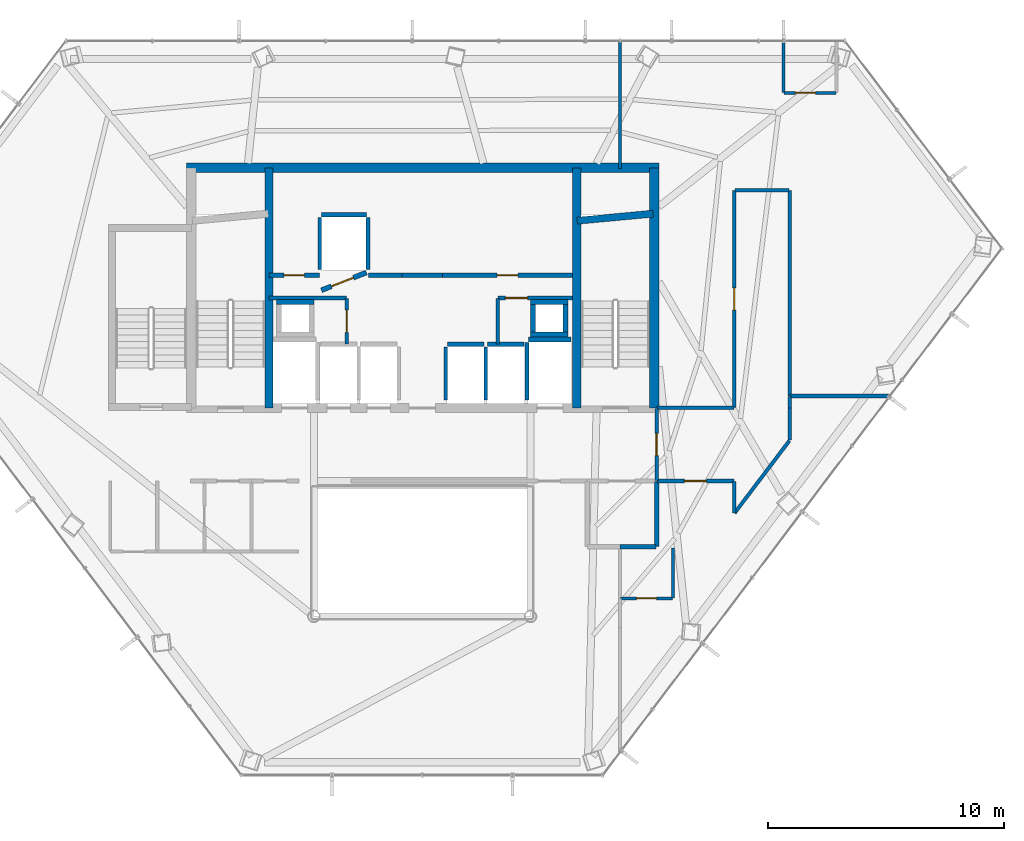
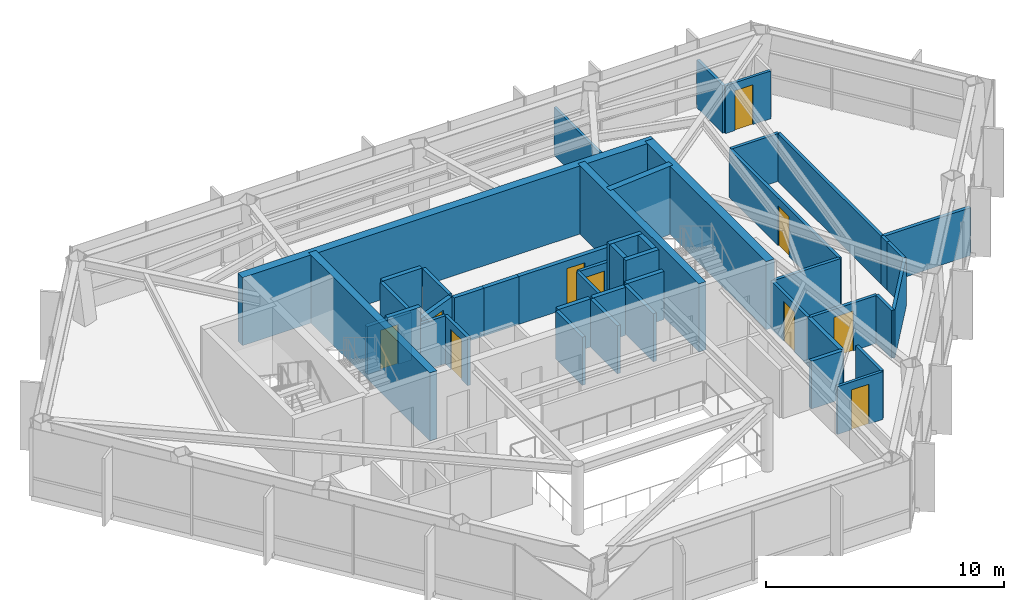
# One storey, part 25 of 27: 46 walls, 10 doors, 10 openings.
"""IFC4 building model written with IfcOpenShell, lengths in metres."""

from ifc_helpers import new_model, si_unit, direction, frame, frame_2d, origin, place, context, subcontext, project, spatial, rectangle, extrude, material, layer, layer_set, type_object, element, fill, save


model = new_model("IFC4")

# Units and contexts
model_context = context("Model", 3, precision=1e-05, world=origin(), true_north=direction((0.0, 1.0)))
body_context = subcontext(model_context, "Body", "Model", "MODEL_VIEW")
ifc_project = project(units=[si_unit("LENGTHUNIT", "METRE"), si_unit("AREAUNIT", "SQUARE_METRE"), si_unit("VOLUMEUNIT", "CUBIC_METRE"), si_unit("PLANEANGLEUNIT", "RADIAN"), si_unit("MASSUNIT", "GRAM", prefix="KILO")], contexts=[model_context])

# Site, building, storey
site_placement = place(None, origin())
site = spatial("IfcSite", under=ifc_project, at=site_placement, CompositionType="ELEMENT")
building_placement = place(site_placement, origin())
building = spatial("IfcBuilding", under=site, at=building_placement, Name="Zarrinselat Tower", CompositionType="ELEMENT")
storey_placement = place(building_placement, frame((0.0, 0.0, 172.0400390625)))
storey = spatial("IfcBuildingStorey", under=building, at=storey_placement, Name="L42", CompositionType="ELEMENT", Elevation=172.0400390625)

# Walls
ifc_material_1 = material(Name="Fire-Rated Gypsum Board Partition", Category="gypsum")
ifc_layer_1 = layer(ifc_material_1, 0.1650390625)
ifc_layer_set_1 = layer_set([ifc_layer_1], Name="Fire-Rated Gypsum Board Partition")
wall_type_1 = type_object("IfcWallType", Name="WAL-PART-DEMISE", PredefinedType="PARTITIONING", material=ifc_layer_set_1)
wall_1_placement = place(storey_placement, frame((54.02001953125, 33.752685546875, 0.0), z_axis=(0.0, 0.0, 1.0), x_axis=(1.0, 0.0, 0.0)))
element("IfcWall", 1, at=wall_1_placement, inside=storey, type_object=wall_type_1, Name="L42 Partition Wall 42", PredefinedType="PARTITIONING", context=body_context, shape_type="SweptSolid", body=[
    extrude(rectangle(XDim=4.223876953125, YDim=0.1650390625, at=frame_2d((2.11181640625, 0.0))), origin(), (0.0, 0.0, 1.0), 2.45703125),
])
ifc_material_2 = material(Name="Concrete C40/50", Category="concrete")
ifc_layer_2 = layer(ifc_material_2, 0.18994140625)
ifc_layer_set_2 = layer_set([ifc_layer_2], Name="Concrete C40/50")
wall_type_2 = type_object("IfcWallType", Name="WAL-PART-EI120", PredefinedType="PARTITIONING", material=ifc_layer_set_2)
wall_2_placement = place(storey_placement, frame((46.804931640625, 27.35009765625, 0.0), z_axis=(0.0, 0.0, 1.0), x_axis=(1.0, 0.0, 0.0)))
element("IfcWall", 2, at=wall_2_placement, inside=storey, type_object=wall_type_2, Name="L42 Partition Wall 17", PredefinedType="PARTITIONING", context=body_context, shape_type="SweptSolid", body=[
    extrude(rectangle(XDim=1.525146484375, YDim=0.18994140625, at=frame_2d((0.7626953125, 0.0))), origin(), (0.0, 0.0, 1.0), 2.45703125),
])
wall_3_placement = place(storey_placement, frame((48.35009765625, 27.3701171875, 0.0), z_axis=(0.0, 0.0, 1.0), x_axis=(0.0, 1.0, 0.0)))
element("IfcWall", 3, at=wall_3_placement, inside=storey, type_object=wall_type_2, Name="L42 Partition Wall 18", PredefinedType="PARTITIONING", context=body_context, shape_type="SweptSolid", body=[
    extrude(rectangle(XDim=2.759765625, YDim=0.18994140625, at=frame_2d((1.3798828125, 0.0))), origin(), (0.0, 0.0, 1.0), 2.45703125),
])

# Wall, opening, door
ifc_material_3 = material(Name="Fire-Rated Gypsum Board Partition", Category="gypsum")
ifc_layer_3 = layer(ifc_material_3, 0.14990234375)
ifc_layer_set_3 = layer_set([ifc_layer_3], Name="Fire-Rated Gypsum Board Partition")
wall_type_3 = type_object("IfcWallType", Name="WAL-PART-EI60", PredefinedType="PARTITIONING", material=ifc_layer_set_3)
wall_4_placement = place(storey_placement, frame((35.199951171875, 35.969970703125, 0.0), z_axis=(0.0, 0.0, 1.0), x_axis=(0.0, 1.0, 0.0)))
wall_4 = element("IfcWall", 4, at=wall_4_placement, inside=storey, type_object=wall_type_3, Name="L42 Partition Wall 1", PredefinedType="PARTITIONING", context=body_context, shape_type="SweptSolid", body=[
    extrude(rectangle(XDim=1.929931640625, YDim=0.14990234375, at=frame_2d((0.96484375, 0.0))), origin(), (0.0, 0.0, 1.0), 2.45703125),
])
opening_1_placement = place(wall_4_placement, frame((0.4951171875, 0.0, 0.0)))
opening_1 = element("IfcOpeningElement", 5, at=opening_1_placement, cuts=wall_4, Name="Opening ID-04", PredefinedType="OPENING", context=body_context, shape_type="SweptSolid", body=[
    extrude(rectangle(XDim=0.93994140625, YDim=2.050048828125, at=frame_2d((0.469970703125, 1.02490234375))), frame((0.0, 0.0849609375, 0.0), z_axis=(0.0, -1.0, 0.0), x_axis=(1.0, 0.0, 0.0)), (0.0, 0.0, 1.0), 0.169921875),
])
ifc_material_4 = material(Name="Fire-Rated Gypsum Board Partition")
door_type_1 = type_object("IfcDoorType", Name="DR-INT-FD30-ENT", OperationType="NOTDEFINED", PredefinedType="DOOR", material=ifc_material_4)
door_1_placement = place(opening_1_placement, origin())
door_1 = element("IfcDoor", 6, at=door_1_placement, inside=storey, type_object=door_type_1, Name="L42 Interior Door P1", OperationType="SINGLE_SWING_RIGHT", OverallHeight=2.050048828125, OverallWidth=0.93994140625, PredefinedType="DOOR", context=body_context, shape_type="SweptSolid", body=[
    extrude(rectangle(XDim=0.93994140625, YDim=2.050048828125, at=frame_2d((0.469970703125, 1.02490234375))), frame((0.0, 0.02490234375, 0.0), z_axis=(0.0, -1.0, 0.0), x_axis=(1.0, 0.0, 0.0)), (0.0, 0.0, 1.0), 0.050048828125),
])
fill(opening_1, door_1)

# Wall
wall_5_placement = place(storey_placement, frame((31.885009765625, 37.919921875, 0.0), z_axis=(0.0, 0.0, 1.0), x_axis=(1.0, 0.0, 0.0)))
element("IfcWall", 7, at=wall_5_placement, inside=storey, type_object=wall_type_3, Name="L42 Partition Wall 2", PredefinedType="PARTITIONING", context=body_context, shape_type="SweptSolid", body=[
    extrude(rectangle(XDim=3.294921875, YDim=0.14990234375, at=frame_2d((1.6474609375, 0.0))), origin(), (0.0, 0.0, 1.0), 2.45703125),
])

# Wall, opening, door
wall_6_placement = place(storey_placement, frame((41.6201171875, 37.919921875, 0.0), z_axis=(0.0, 0.0, 1.0), x_axis=(1.0, 0.0, 0.0)))
wall_6 = element("IfcWall", 8, at=wall_6_placement, inside=storey, type_object=wall_type_3, Name="L42 Partition Wall 7", PredefinedType="PARTITIONING", context=body_context, shape_type="SweptSolid", body=[
    extrude(rectangle(XDim=3.164794921875, YDim=0.14990234375, at=frame_2d((1.58251953125, 0.0))), origin(), (0.0, 0.0, 1.0), 2.45703125),
])
opening_2_placement = place(wall_6_placement, frame((0.3125, 0.0, 0.0)))
opening_2 = element("IfcOpeningElement", 9, at=opening_2_placement, cuts=wall_6, Name="Opening ID-04", PredefinedType="OPENING", context=body_context, shape_type="SweptSolid", body=[
    extrude(rectangle(XDim=0.93994140625, YDim=2.050048828125, at=frame_2d((0.469970703125, 1.02490234375))), frame((0.0, 0.0849609375, 0.0), z_axis=(0.0, -1.0, 0.0), x_axis=(1.0, 0.0, 0.0)), (0.0, 0.0, 1.0), 0.169921875),
])
door_2_placement = place(opening_2_placement, origin())
door_2 = element("IfcDoor", 10, at=door_2_placement, inside=storey, type_object=door_type_1, Name="L42 Interior Door P7", OperationType="SINGLE_SWING_LEFT", OverallHeight=2.050048828125, OverallWidth=0.93994140625, PredefinedType="DOOR", context=body_context, shape_type="SweptSolid", body=[
    extrude(rectangle(XDim=0.93994140625, YDim=2.050048828125, at=frame_2d((0.469970703125, 1.02490234375))), frame((0.0, 0.02490234375, 0.0), z_axis=(0.0, -1.0, 0.0), x_axis=(1.0, 0.0, 0.0)), (0.0, 0.0, 1.0), 0.050048828125),
])
fill(opening_2, door_2)

# Wall
wall_7_placement = place(storey_placement, frame((41.60009765625, 35.969970703125, 0.0), z_axis=(0.0, 0.0, 1.0), x_axis=(0.0, 1.0, 0.0)))
element("IfcWall", 11, at=wall_7_placement, inside=storey, type_object=wall_type_3, Name="L42 Partition Wall 8", PredefinedType="PARTITIONING", context=body_context, shape_type="SweptSolid", body=[
    extrude(rectangle(XDim=1.929931640625, YDim=0.14990234375, at=frame_2d((0.96484375, 0.0))), origin(), (0.0, 0.0, 1.0), 2.45703125),
])

# Wall, opening, door
wall_8_placement = place(storey_placement, frame((48.35009765625, 30.169921875, 0.0), z_axis=(0.0, 0.0, 1.0), x_axis=(0.0, 1.0, 0.0)))
wall_8 = element("IfcWall", 12, at=wall_8_placement, inside=storey, type_object=wall_type_3, Name="L42 Partition Wall 10", PredefinedType="PARTITIONING", context=body_context, shape_type="SweptSolid", body=[
    extrude(rectangle(XDim=3.06005859375, YDim=0.14990234375, at=frame_2d((1.530029296875, 0.0))), origin(), (0.0, 0.0, 1.0), 2.45703125),
])
opening_3_placement = place(wall_8_placement, frame((1.06005859375, 0.0, 0.0)))
opening_3 = element("IfcOpeningElement", 13, at=opening_3_placement, cuts=wall_8, Name="Opening ID-04", PredefinedType="OPENING", context=body_context, shape_type="SweptSolid", body=[
    extrude(rectangle(XDim=0.93994140625, YDim=2.050048828125, at=frame_2d((0.469970703125, 1.02490234375))), frame((0.0, 0.0849609375, 0.0), z_axis=(0.0, -1.0, 0.0), x_axis=(1.0, 0.0, 0.0)), (0.0, 0.0, 1.0), 0.169921875),
])
door_3_placement = place(opening_3_placement, origin())
door_3 = element("IfcDoor", 14, at=door_3_placement, inside=storey, type_object=door_type_1, Name="L42 Interior Door P10", OperationType="SINGLE_SWING_LEFT", OverallHeight=2.050048828125, OverallWidth=0.93994140625, PredefinedType="DOOR", context=body_context, shape_type="SweptSolid", body=[
    extrude(rectangle(XDim=0.93994140625, YDim=2.050048828125, at=frame_2d((0.469970703125, 1.02490234375))), frame((0.0, 0.02490234375, 0.0), z_axis=(0.0, -1.0, 0.0), x_axis=(1.0, 0.0, 0.0)), (0.0, 0.0, 1.0), 0.050048828125),
])
fill(opening_3, door_3)

# Walls
wall_9_placement = place(storey_placement, frame((54.0, 33.25, 0.0), z_axis=(0.0, 0.0, 1.0), x_axis=(0.0, 1.0, 0.0)))
element("IfcWall", 15, at=wall_9_placement, inside=storey, type_object=wall_type_3, Name="L42 Partition Wall 19", PredefinedType="PARTITIONING", context=body_context, shape_type="SweptSolid", body=[
    extrude(rectangle(XDim=0.49755859375, YDim=0.14990234375, at=frame_2d((0.248779296875, 0.0))), origin(), (0.0, 0.0, 1.0), 2.45703125),
])
wall_10_placement = place(storey_placement, frame((54.0, 31.8935546875, 0.0), z_axis=(0.0, 0.0, 1.0), x_axis=(0.0, 1.0, 0.0)))
element("IfcWall", 16, at=wall_10_placement, inside=storey, type_object=wall_type_3, Name="L42 Partition Wall 20", PredefinedType="PARTITIONING", context=body_context, shape_type="SweptSolid", body=[
    extrude(rectangle(XDim=1.3564453125, YDim=0.14990234375, at=frame_2d((0.67822265625, 0.0))), origin(), (0.0, 0.0, 1.0), 2.45703125),
])
wall_11_placement = place(storey_placement, frame((51.662109375, 28.787353515625, 0.0), z_axis=(0.0, 0.0, 1.0), x_axis=(0.603806431354, 0.797130976349, 0.0)))
element("IfcWall", 17, at=wall_11_placement, inside=storey, type_object=wall_type_3, Name="L42 Partition Wall 21", PredefinedType="PARTITIONING", context=body_context, shape_type="SweptSolid", body=[
    extrude(rectangle(XDim=3.851806640625, YDim=0.14990234375, at=frame_2d((1.92578125, 0.0))), origin(), (0.0, 0.0, 1.0), 2.45703125),
])
wall_12_placement = place(storey_placement, frame((51.64990234375, 28.79150390625, 0.0), z_axis=(0.0, 0.0, 1.0), x_axis=(0.0, 1.0, 0.0)))
element("IfcWall", 18, at=wall_12_placement, inside=storey, type_object=wall_type_3, Name="L42 Partition Wall 22", PredefinedType="PARTITIONING", context=body_context, shape_type="SweptSolid", body=[
    extrude(rectangle(XDim=1.33837890625, YDim=0.14990234375, at=frame_2d((0.669189453125, 0.0))), origin(), (0.0, 0.0, 1.0), 2.45703125),
])

# Wall, opening, door
wall_13_placement = place(storey_placement, frame((48.3701171875, 30.14990234375, 0.0), z_axis=(0.0, 0.0, 1.0), x_axis=(1.0, 0.0, 0.0)))
wall_13 = element("IfcWall", 19, at=wall_13_placement, inside=storey, type_object=wall_type_3, Name="L42 Partition Wall 23", PredefinedType="PARTITIONING", context=body_context, shape_type="SweptSolid", body=[
    extrude(rectangle(XDim=3.259765625, YDim=0.14990234375, at=frame_2d((1.6298828125, 0.0))), origin(), (0.0, 0.0, 1.0), 2.45703125),
])
opening_4_placement = place(wall_13_placement, frame((1.159912109375, 0.0, 0.0)))
opening_4 = element("IfcOpeningElement", 20, at=opening_4_placement, cuts=wall_13, Name="Opening ID-04", PredefinedType="OPENING", context=body_context, shape_type="SweptSolid", body=[
    extrude(rectangle(XDim=0.93994140625, YDim=2.050048828125, at=frame_2d((0.469970703125, 1.02490234375))), frame((0.0, 0.0849609375, 0.0), z_axis=(0.0, -1.0, 0.0), x_axis=(1.0, 0.0, 0.0)), (0.0, 0.0, 1.0), 0.169921875),
])
door_4_placement = place(opening_4_placement, origin())
door_4 = element("IfcDoor", 21, at=door_4_placement, inside=storey, type_object=door_type_1, Name="L42 Interior Door P23", OperationType="SINGLE_SWING_LEFT", OverallHeight=2.050048828125, OverallWidth=0.93994140625, PredefinedType="DOOR", context=body_context, shape_type="SweptSolid", body=[
    extrude(rectangle(XDim=0.93994140625, YDim=2.050048828125, at=frame_2d((0.469970703125, 1.02490234375))), frame((0.0, 0.02490234375, 0.0), z_axis=(0.0, -1.0, 0.0), x_axis=(1.0, 0.0, 0.0)), (0.0, 0.0, 1.0), 0.050048828125),
])
fill(opening_4, door_4)

# Wall
wall_14_placement = place(storey_placement, frame((48.364990234375, 33.25, 0.0), z_axis=(0.0, 0.0, 1.0), x_axis=(1.0, 0.0, 0.0)))
element("IfcWall", 22, at=wall_14_placement, inside=storey, type_object=wall_type_3, Name="L42 Partition Wall 24", PredefinedType="PARTITIONING", context=body_context, shape_type="SweptSolid", body=[
    extrude(rectangle(XDim=3.264892578125, YDim=0.14990234375, at=frame_2d((1.63232421875, 0.0))), origin(), (0.0, 0.0, 1.0), 2.45703125),
])

# Wall, opening, door
wall_15_placement = place(storey_placement, frame((51.64990234375, 33.27001953125, 0.0), z_axis=(0.0, 0.0, 1.0), x_axis=(0.0, 1.0, 0.0)))
wall_15 = element("IfcWall", 23, at=wall_15_placement, inside=storey, type_object=wall_type_3, Name="L42 Partition Wall 25", PredefinedType="PARTITIONING", context=body_context, shape_type="SweptSolid", body=[
    extrude(rectangle(XDim=9.2099609375, YDim=0.14990234375, at=frame_2d((4.60498046875, 0.0))), origin(), (0.0, 0.0, 1.0), 2.45703125),
])
opening_5_placement = place(wall_15_placement, frame((4.135009765625, 0.0, 0.0)))
opening_5 = element("IfcOpeningElement", 24, at=opening_5_placement, cuts=wall_15, Name="Opening ID-04", PredefinedType="OPENING", context=body_context, shape_type="SweptSolid", body=[
    extrude(rectangle(XDim=0.93994140625, YDim=2.050048828125, at=frame_2d((0.469970703125, 1.02490234375))), frame((0.0, 0.0849609375, 0.0), z_axis=(0.0, -1.0, 0.0), x_axis=(1.0, 0.0, 0.0)), (0.0, 0.0, 1.0), 0.169921875),
])
door_5_placement = place(opening_5_placement, origin())
door_5 = element("IfcDoor", 25, at=door_5_placement, inside=storey, type_object=door_type_1, Name="L42 Interior Door P25", OperationType="SINGLE_SWING_RIGHT", OverallHeight=2.050048828125, OverallWidth=0.93994140625, PredefinedType="DOOR", context=body_context, shape_type="SweptSolid", body=[
    extrude(rectangle(XDim=0.93994140625, YDim=2.050048828125, at=frame_2d((0.469970703125, 1.02490234375))), frame((0.0, 0.02490234375, 0.0), z_axis=(0.0, -1.0, 0.0), x_axis=(1.0, 0.0, 0.0)), (0.0, 0.0, 1.0), 0.050048828125),
])
fill(opening_5, door_5)

# Walls
wall_16_placement = place(storey_placement, frame((51.669921875, 42.5, 0.0), z_axis=(0.0, 0.0, 1.0), x_axis=(1.0, 0.0, 0.0)))
element("IfcWall", 26, at=wall_16_placement, inside=storey, type_object=wall_type_3, Name="L42 Partition Wall 26", PredefinedType="PARTITIONING", context=body_context, shape_type="SweptSolid", body=[
    extrude(rectangle(XDim=2.31005859375, YDim=0.14990234375, at=frame_2d((1.155029296875, 0.0))), origin(), (0.0, 0.0, 1.0), 2.45703125),
])
wall_17_placement = place(storey_placement, frame((54.0, 33.757568359375, 0.0), z_axis=(0.0, 0.0, 1.0), x_axis=(0.0, 1.0, 0.0)))
element("IfcWall", 27, at=wall_17_placement, inside=storey, type_object=wall_type_3, Name="L42 Partition Wall 27", PredefinedType="PARTITIONING", context=body_context, shape_type="SweptSolid", body=[
    extrude(rectangle(XDim=8.722412109375, YDim=0.14990234375, at=frame_2d((4.361328125, 0.0))), origin(), (0.0, 0.0, 1.0), 2.45703125),
])

# Wall, opening, door
ifc_material_5 = material(Name="Concrete C40/50", Category="concrete")
ifc_layer_4 = layer(ifc_material_5, 0.199951171875)
ifc_layer_set_4 = layer_set([ifc_layer_4], Name="Concrete C40/50")
wall_type_4 = type_object("IfcWallType", Name="WAL-PART-PLANT", PredefinedType="PARTITIONING", material=ifc_layer_set_4)
wall_18_placement = place(storey_placement, frame((31.885009765625, 38.889892578125, 0.0), z_axis=(0.0, 0.0, 1.0), x_axis=(1.0, 0.0, 0.0)))
wall_18 = element("IfcWall", 28, at=wall_18_placement, inside=storey, type_object=wall_type_4, Name="L42 Partition Wall 3", PredefinedType="PARTITIONING", context=body_context, shape_type="SweptSolid", body=[
    extrude(rectangle(XDim=2.14990234375, YDim=0.199951171875, at=frame_2d((1.074951171875, 0.0))), origin(), (0.0, 0.0, 1.0), 2.45703125),
])
opening_6_placement = place(wall_18_placement, frame((0.635009765625, 0.0, 0.0)))
opening_6 = element("IfcOpeningElement", 29, at=opening_6_placement, cuts=wall_18, Name="Opening ID-03", PredefinedType="OPENING", context=body_context, shape_type="SweptSolid", body=[
    extrude(rectangle(XDim=0.8798828125, YDim=2.050048828125, at=frame_2d((0.43994140625, 1.02490234375))), frame((0.0, 0.10986328125, 0.0), z_axis=(0.0, -1.0, 0.0), x_axis=(1.0, 0.0, 0.0)), (0.0, 0.0, 1.0), 0.219970703125),
])
ifc_material_6 = material(Name="Steel S355J2", Category="steel")
door_type_2 = type_object("IfcDoorType", Name="DR-INT-FD60-S", OperationType="NOTDEFINED", PredefinedType="DOOR", material=ifc_material_6)
door_6_placement = place(opening_6_placement, origin())
door_6 = element("IfcDoor", 30, at=door_6_placement, inside=storey, type_object=door_type_2, Name="L42 Interior Door P3", OperationType="SINGLE_SWING_LEFT", OverallHeight=2.050048828125, OverallWidth=0.8798828125, PredefinedType="DOOR", context=body_context, shape_type="SweptSolid", body=[
    extrude(rectangle(XDim=0.8798828125, YDim=2.050048828125, at=frame_2d((0.43994140625, 1.02490234375))), frame((0.0, 0.02490234375, 0.0), z_axis=(0.0, -1.0, 0.0), x_axis=(1.0, 0.0, 0.0)), (0.0, 0.0, 1.0), 0.050048828125),
])
fill(opening_6, door_6)

# Walls
wall_19_placement = place(storey_placement, frame((36.114990234375, 38.889892578125, 0.0), z_axis=(0.0, 0.0, 1.0), x_axis=(1.0, 0.0, 0.0)))
element("IfcWall", 31, at=wall_19_placement, inside=storey, type_object=wall_type_4, Name="L42 Partition Wall 4", PredefinedType="PARTITIONING", context=body_context, shape_type="SweptSolid", body=[
    extrude(rectangle(XDim=1.43505859375, YDim=0.199951171875, at=frame_2d((0.717529296875, 0.0))), origin(), (0.0, 0.0, 1.0), 2.45703125),
])
wall_20_placement = place(storey_placement, frame((37.550048828125, 38.889892578125, 0.0), z_axis=(0.0, 0.0, 1.0), x_axis=(1.0, 0.0, 0.0)))
element("IfcWall", 32, at=wall_20_placement, inside=storey, type_object=wall_type_4, Name="L42 Partition Wall 5", PredefinedType="PARTITIONING", context=body_context, shape_type="SweptSolid", body=[
    extrude(rectangle(XDim=1.699951171875, YDim=0.199951171875, at=frame_2d((0.85009765625, 0.0))), origin(), (0.0, 0.0, 1.0), 2.45703125),
])

# Wall, opening, door
wall_21_placement = place(storey_placement, frame((39.25, 38.889892578125, 0.0), z_axis=(0.0, 0.0, 1.0), x_axis=(1.0, 0.0, 0.0)))
wall_21 = element("IfcWall", 33, at=wall_21_placement, inside=storey, type_object=wall_type_4, Name="L42 Partition Wall 6", PredefinedType="PARTITIONING", context=body_context, shape_type="SweptSolid", body=[
    extrude(rectangle(XDim=5.534912109375, YDim=0.199951171875, at=frame_2d((2.767578125, 0.0))), origin(), (0.0, 0.0, 1.0), 2.45703125),
])
opening_7_placement = place(wall_21_placement, frame((2.327392578125, 0.0, 0.0)))
opening_7 = element("IfcOpeningElement", 34, at=opening_7_placement, cuts=wall_21, Name="Opening ID-03", PredefinedType="OPENING", context=body_context, shape_type="SweptSolid", body=[
    extrude(rectangle(XDim=0.8798828125, YDim=2.050048828125, at=frame_2d((0.43994140625, 1.02490234375))), frame((0.0, 0.10986328125, 0.0), z_axis=(0.0, -1.0, 0.0), x_axis=(1.0, 0.0, 0.0)), (0.0, 0.0, 1.0), 0.219970703125),
])
door_7_placement = place(opening_7_placement, origin())
door_7 = element("IfcDoor", 35, at=door_7_placement, inside=storey, type_object=door_type_2, Name="L42 Interior Door P6", OperationType="SINGLE_SWING_RIGHT", OverallHeight=2.050048828125, OverallWidth=0.8798828125, PredefinedType="DOOR", context=body_context, shape_type="SweptSolid", body=[
    extrude(rectangle(XDim=0.8798828125, YDim=2.050048828125, at=frame_2d((0.43994140625, 1.02490234375))), frame((0.0, 0.02490234375, 0.0), z_axis=(0.0, -1.0, 0.0), x_axis=(1.0, 0.0, 0.0)), (0.0, 0.0, 1.0), 0.050048828125),
])
fill(opening_7, door_7)

# Walls
ifc_material_7 = material(Name="Fire-Rated Gypsum Board Partition", Category="gypsum")
ifc_layer_5 = layer(ifc_material_7, 0.1201171875)
ifc_layer_set_5 = layer_set([ifc_layer_5], Name="Fire-Rated Gypsum Board Partition")
wall_type_5 = type_object("IfcWallType", Name="WAL-PART-STD", PredefinedType="PARTITIONING", material=ifc_layer_set_5)
wall_22_placement = place(storey_placement, frame((46.800048828125, 43.4150390625, 0.0), z_axis=(0.0, 0.0, 1.0), x_axis=(0.0, 1.0, 0.0)))
element("IfcWall", 36, at=wall_22_placement, inside=storey, type_object=wall_type_5, Name="L42 Partition Wall 39", PredefinedType="PARTITIONING", context=body_context, shape_type="SweptSolid", body=[
    extrude(rectangle(XDim=5.408935546875, YDim=0.1201171875, at=frame_2d((2.70458984375, 0.0))), origin(), (0.0, 0.0, 1.0), 2.45703125),
])
ifc_material_8 = material(Name="Fire-Rated Gypsum Board Partition", Category="gypsum")
ifc_layer_6 = layer(ifc_material_8, 0.135009765625)
ifc_layer_set_6 = layer_set([ifc_layer_6], Name="Fire-Rated Gypsum Board Partition")
wall_type_6 = type_object("IfcWallType", Name="WAL-PART-WET", PredefinedType="PARTITIONING", material=ifc_layer_set_6)
wall_23_placement = place(storey_placement, frame((49.050048828125, 25.184326171875, 0.0), z_axis=(0.0, 0.0, 1.0), x_axis=(0.0, 1.0, 0.0)))
element("IfcWall", 37, at=wall_23_placement, inside=storey, type_object=wall_type_6, Name="L42 Partition Wall 40", PredefinedType="PARTITIONING", context=body_context, shape_type="SweptSolid", body=[
    extrude(rectangle(XDim=2.130126953125, YDim=0.135009765625, at=frame_2d((1.06494140625, 0.0))), origin(), (0.0, 0.0, 1.0), 2.45703125),
])

# Wall, opening, door
wall_24_placement = place(storey_placement, frame((46.820068359375, 25.164306640625, 0.0), z_axis=(0.0, 0.0, 1.0), x_axis=(1.0, 0.0, 0.0)))
wall_24 = element("IfcWall", 38, at=wall_24_placement, inside=storey, type_object=wall_type_6, Name="L42 Partition Wall 41", PredefinedType="PARTITIONING", context=body_context, shape_type="SweptSolid", body=[
    extrude(rectangle(XDim=2.2099609375, YDim=0.135009765625, at=frame_2d((1.10498046875, 0.0))), origin(), (0.0, 0.0, 1.0), 2.45703125),
])
opening_8_placement = place(wall_24_placement, frame((0.675048828125, 0.0, 0.0)))
opening_8 = element("IfcOpeningElement", 39, at=opening_8_placement, cuts=wall_24, Name="Opening ID-06", PredefinedType="OPENING", context=body_context, shape_type="SweptSolid", body=[
    extrude(rectangle(XDim=0.860107421875, YDim=2.050048828125, at=frame_2d((0.43017578125, 1.02490234375))), frame((0.0, 0.077392578125, 0.0), z_axis=(0.0, -1.0, 0.0), x_axis=(1.0, 0.0, 0.0)), (0.0, 0.0, 1.0), 0.155029296875),
])
ifc_material_9 = material(Name="Extruded Aluminium Alloy EN AW-6063 T6", Category="aluminium")
door_type_3 = type_object("IfcDoorType", Name="DR-INT-WET-900", OperationType="NOTDEFINED", PredefinedType="DOOR", material=ifc_material_9)
door_8_placement = place(opening_8_placement, origin())
door_8 = element("IfcDoor", 40, at=door_8_placement, inside=storey, type_object=door_type_3, Name="L42 Interior Door P41", OperationType="SINGLE_SWING_LEFT", OverallHeight=2.050048828125, OverallWidth=0.860107421875, PredefinedType="DOOR", context=body_context, shape_type="SweptSolid", body=[
    extrude(rectangle(XDim=0.860107421875, YDim=2.050048828125, at=frame_2d((0.43017578125, 1.02490234375))), frame((0.0, 0.02490234375, 0.0), z_axis=(0.0, -1.0, 0.0), x_axis=(1.0, 0.0, 0.0)), (0.0, 0.0, 1.0), 0.050048828125),
])
fill(opening_8, door_8)

# Wall
wall_25_placement = place(storey_placement, frame((53.74609375, 46.64892578125, 0.0), z_axis=(0.0, 0.0, 1.0), x_axis=(0.0, 1.0, 0.0)))
element("IfcWall", 41, at=wall_25_placement, inside=storey, type_object=wall_type_6, Name="L42 Partition Wall 43", PredefinedType="PARTITIONING", context=body_context, shape_type="SweptSolid", body=[
    extrude(rectangle(XDim=2.175048828125, YDim=0.135009765625, at=frame_2d((1.08740234375, 0.0))), origin(), (0.0, 0.0, 1.0), 2.45703125),
])

# Wall, opening, door
wall_26_placement = place(storey_placement, frame((53.76611328125, 46.62890625, 0.0), z_axis=(0.0, 0.0, 1.0), x_axis=(1.0, 0.0, 0.0)))
wall_26 = element("IfcWall", 42, at=wall_26_placement, inside=storey, type_object=wall_type_6, Name="L42 Partition Wall 44", PredefinedType="PARTITIONING", context=body_context, shape_type="SweptSolid", body=[
    extrude(rectangle(XDim=2.2099609375, YDim=0.135009765625, at=frame_2d((1.10498046875, 0.0))), origin(), (0.0, 0.0, 1.0), 2.45703125),
])
opening_9_placement = place(wall_26_placement, frame((0.47509765625, 0.0, 0.0)))
opening_9 = element("IfcOpeningElement", 43, at=opening_9_placement, cuts=wall_26, Name="Opening ID-06", PredefinedType="OPENING", context=body_context, shape_type="SweptSolid", body=[
    extrude(rectangle(XDim=0.860107421875, YDim=2.050048828125, at=frame_2d((0.43017578125, 1.02490234375))), frame((0.0, 0.077392578125, 0.0), z_axis=(0.0, -1.0, 0.0), x_axis=(1.0, 0.0, 0.0)), (0.0, 0.0, 1.0), 0.155029296875),
])
door_9_placement = place(opening_9_placement, origin())
door_9 = element("IfcDoor", 44, at=door_9_placement, inside=storey, type_object=door_type_3, Name="L42 Interior Door P44", OperationType="SINGLE_SWING_RIGHT", OverallHeight=2.050048828125, OverallWidth=0.860107421875, PredefinedType="DOOR", context=body_context, shape_type="SweptSolid", body=[
    extrude(rectangle(XDim=0.860107421875, YDim=2.050048828125, at=frame_2d((0.43017578125, 1.02490234375))), frame((0.0, 0.02490234375, 0.0), z_axis=(0.0, -1.0, 0.0), x_axis=(1.0, 0.0, 0.0)), (0.0, 0.0, 1.0), 0.050048828125),
])
fill(opening_9, door_9)

# Walls
ifc_material_10 = material(Name="Concrete C40/50", Category="concrete")
ifc_layer_7 = layer(ifc_material_10, 0.2099609375)
ifc_layer_set_7 = layer_set([ifc_layer_7], Name="Concrete C40/50")
wall_type_7 = type_object("IfcWallType", Name="WAL-SHAFT-210", PredefinedType="SOLIDWALL", material=ifc_layer_set_7)
wall_27_placement = place(storey_placement, frame((42.919921875, 36.155029296875, 0.0), z_axis=(0.0, 0.0, 1.0), x_axis=(1.0, 0.0, 0.0)))
element("IfcWall", 45, at=wall_27_placement, inside=storey, type_object=wall_type_7, Name="L42 Lift FFL2 North Shaft Wall", PredefinedType="SOLIDWALL", context=body_context, shape_type="SweptSolid", body=[
    extrude(rectangle(XDim=1.800048828125, YDim=0.2099609375, at=frame_2d((0.89990234375, 0.0))), origin(), (0.0, 0.0, 1.0), 2.471923828125),
])
wall_28_placement = place(storey_placement, frame((42.85009765625, 33.580078125, 0.0), z_axis=(0.0, 0.0, 1.0), x_axis=(0.0, 1.0, 0.0)))
element("IfcWall", 46, at=wall_28_placement, inside=storey, type_object=wall_type_7, Name="L42 Lift FFL2 W Shaft Wall", PredefinedType="SOLIDWALL", context=body_context, shape_type="SweptSolid", body=[
    extrude(rectangle(XDim=2.449951171875, YDim=0.159912109375, at=frame_2d((1.22509765625, 0.0))), origin(), (0.0, 0.0, 1.0), 2.471923828125),
])

# Wall, opening, door
wall_29_placement = place(storey_placement, frame((34.1201171875, 38.25, 0.0), z_axis=(0.0, 0.0, 1.0), x_axis=(0.930804993012, 0.36551616241, 0.0)))
wall_29 = element("IfcWall", 47, at=wall_29_placement, inside=storey, type_object=wall_type_7, Name="L42 Lift PL7 Front Shaft Wall", PredefinedType="SOLIDWALL", context=body_context, shape_type="SweptSolid", body=[
    extrude(rectangle(XDim=2.052001953125, YDim=0.2099609375, at=frame_2d((1.02587890625, 0.0))), origin(), (0.0, 0.0, 1.0), 2.471923828125),
])
opening_10_placement = place(wall_29_placement, frame((0.455078125, 0.0, 0.0)))
opening_10 = element("IfcOpeningElement", 48, at=opening_10_placement, cuts=wall_29, Name="Opening LD-PL7", PredefinedType="OPENING", context=body_context, shape_type="SweptSolid", body=[
    extrude(rectangle(XDim=1.0, YDim=2.10009765625, at=frame_2d((0.5, 1.050048828125))), frame((0.0, 0.114990234375, 0.0), z_axis=(0.0, -1.0, 0.0), x_axis=(1.0, 0.0, 0.0)), (0.0, 0.0, 1.0), 0.22998046875),
])
ifc_material_11 = material(Name="Steel S355J2", Category="steel")
door_type_4 = type_object("IfcDoorType", Name="DR-LIFT-PS-1000", OperationType="NOTDEFINED", PredefinedType="DOOR", material=ifc_material_11)
door_10_placement = place(opening_10_placement, origin())
door_10 = element("IfcDoor", 49, at=door_10_placement, inside=storey, type_object=door_type_4, Name="L42 Lift PL7 Sliding Landing Door", OperationType="SLIDING_TO_LEFT", OverallHeight=2.10009765625, OverallWidth=1.0, PredefinedType="DOOR", context=body_context, shape_type="SweptSolid", body=[
    extrude(rectangle(XDim=1.0, YDim=2.10009765625, at=frame_2d((0.5, 1.050048828125))), frame((0.0, 0.02490234375, 0.0), z_axis=(0.0, -1.0, 0.0), x_axis=(1.0, 0.0, 0.0)), (0.0, 0.0, 1.0), 0.050048828125),
])
fill(opening_10, door_10)

# Walls
wall_30_placement = place(storey_placement, frame((34.1201171875, 41.455078125, 0.0), z_axis=(0.0, 0.0, 1.0), x_axis=(1.0, 0.0, 0.0)))
element("IfcWall", 50, at=wall_30_placement, inside=storey, type_object=wall_type_7, Name="L42 Lift PL7 Rear Shaft Wall", PredefinedType="SOLIDWALL", context=body_context, shape_type="SweptSolid", body=[
    extrude(rectangle(XDim=1.909912109375, YDim=0.2099609375, at=frame_2d((0.955078125, 0.0))), origin(), (0.0, 0.0, 1.0), 2.471923828125),
])
for number, where, z_axis, x_axis, name in (
    (51, (34.050048828125, 39.1201171875, 0.0), (0.0, 0.0, 1.0), (0.0, 1.0, 0.0), "L42 Lift PL7 W Shaft Wall"),
    (52, (36.10009765625, 39.1201171875, 0.0), (0.0, 0.0, 1.0), (0.0, 1.0, 0.0), "L42 Lift PL7 E Shaft Wall"),
):
    element("IfcWall", number, at=place(storey_placement, frame(where, z_axis=z_axis, x_axis=x_axis)), inside=storey, type_object=wall_type_7, Name=name, PredefinedType="SOLIDWALL", context=body_context, shape_type="SweptSolid", body=[
        extrude(rectangle(XDim=2.2099609375, YDim=0.159912109375, at=frame_2d((1.10498046875, 0.0))), origin(), (0.0, 0.0, 1.0), 2.471923828125),
    ])
wall_31_placement = place(storey_placement, frame((39.469970703125, 35.955078125, 0.0), z_axis=(0.0, 0.0, 1.0), x_axis=(1.0, 0.0, 0.0)))
element("IfcWall", 53, at=wall_31_placement, inside=storey, type_object=wall_type_7, Name="L42 Lift PL8 North Shaft Wall", PredefinedType="SOLIDWALL", context=body_context, shape_type="SweptSolid", body=[
    extrude(rectangle(XDim=1.56005859375, YDim=0.2099609375, at=frame_2d((0.780029296875, 0.0))), origin(), (0.0, 0.0, 1.0), 2.471923828125),
])
for number, where, z_axis, x_axis, name in (
    (54, (39.39990234375, 33.580078125, 0.0), (0.0, 0.0, 1.0), (0.0, 1.0, 0.0), "L42 Lift PL8 W Shaft Wall"),
    (55, (41.10009765625, 33.580078125, 0.0), (0.0, 0.0, 1.0), (0.0, 1.0, 0.0), "L42 Lift PL8 E Shaft Wall"),
):
    element("IfcWall", number, at=place(storey_placement, frame(where, z_axis=z_axis, x_axis=x_axis)), inside=storey, type_object=wall_type_7, Name=name, PredefinedType="SOLIDWALL", context=body_context, shape_type="SweptSolid", body=[
        extrude(rectangle(XDim=2.25, YDim=0.159912109375, at=frame_2d((1.125, 0.0))), origin(), (0.0, 0.0, 1.0), 2.471923828125),
    ])
wall_32_placement = place(storey_placement, frame((41.169921875, 35.955078125, 0.0), z_axis=(0.0, 0.0, 1.0), x_axis=(1.0, 0.0, 0.0)))
element("IfcWall", 56, at=wall_32_placement, inside=storey, type_object=wall_type_7, Name="L42 Lift PL9 North Shaft Wall", PredefinedType="SOLIDWALL", context=body_context, shape_type="SweptSolid", body=[
    extrude(rectangle(XDim=1.56005859375, YDim=0.2099609375, at=frame_2d((0.780029296875, 0.0))), origin(), (0.0, 0.0, 1.0), 2.471923828125),
])
for number, where, z_axis, x_axis, name in (
    (57, (32.2099609375, 37.7451171875, 0.0), (0.0, 0.0, 1.0), (1.0, 0.0, 0.0), "L42 Core Riser RSR-W N Shaft Wall"),
    (58, (42.989990234375, 36.375, 0.0), (0.0, 0.0, 1.0), (1.0, 0.0, 0.0), "L42 Core Riser RSR-E S Shaft Wall"),
    (59, (42.989990234375, 37.7451171875, 0.0), (0.0, 0.0, 1.0), (1.0, 0.0, 0.0), "L42 Core Riser RSR-E N Shaft Wall"),
):
    element("IfcWall", number, at=place(storey_placement, frame(where, z_axis=z_axis, x_axis=x_axis)), inside=storey, type_object=wall_type_7, Name=name, PredefinedType="SOLIDWALL", context=body_context, shape_type="SweptSolid", body=[
        extrude(rectangle(XDim=1.60009765625, YDim=0.2099609375, at=frame_2d((0.800048828125, 0.0))), origin(), (0.0, 0.0, 1.0), 3.5),
    ])
for number, where, z_axis, x_axis, name in (
    (60, (43.094970703125, 36.485107421875, 0.0), (0.0, 0.0, 1.0), (0.0, 1.0, 0.0), "L42 Core Riser RSR-E W Shaft Wall"),
    (61, (44.485107421875, 36.485107421875, 0.0), (0.0, 0.0, 1.0), (0.0, 1.0, 0.0), "L42 Core Riser RSR-E E Shaft Wall"),
):
    element("IfcWall", number, at=place(storey_placement, frame(where, z_axis=z_axis, x_axis=x_axis)), inside=storey, type_object=wall_type_7, Name=name, PredefinedType="SOLIDWALL", context=body_context, shape_type="SweptSolid", body=[
        extrude(rectangle(XDim=1.14990234375, YDim=0.2099609375, at=frame_2d((0.574951171875, 0.0))), origin(), (0.0, 0.0, 1.0), 3.5),
    ])
ifc_material_12 = material(Name="Concrete C40/50", Category="concrete")
ifc_layer_8 = layer(ifc_material_12, 0.300048828125)
ifc_layer_set_8 = layer_set([ifc_layer_8], Name="Concrete C40/50")
wall_type_8 = type_object("IfcWallType", Name="WAL-SHEAR-300", PredefinedType="SHEAR", material=ifc_layer_set_8)
wall_33_placement = place(storey_placement, frame((44.97998046875, 41.199951171875, 0.0), z_axis=(0.0, 0.0, 1.0), x_axis=(0.995686468965, 0.09278176286, 0.0)))
element("IfcWall", 62, at=wall_33_placement, inside=storey, type_object=wall_type_8, Name="L42 Stair 2 North Shaft Wall", PredefinedType="SHEAR", context=body_context, shape_type="SweptSolid", body=[
    extrude(rectangle(XDim=3.23388671875, YDim=0.300048828125, at=frame_2d((1.616943359375, 0.0))), origin(), (0.0, 0.0, 1.0), 3.5),
])
ifc_material_13 = material(Name="Concrete C50/60", Category="concrete")
ifc_layer_9 = layer(ifc_material_13, 0.35009765625)
ifc_layer_set_9 = layer_set([ifc_layer_9], Name="Concrete C50/60")
wall_type_9 = type_object("IfcWallType", Name="WAL-SHEAR-350", PredefinedType="SHEAR", material=ifc_layer_set_9)
for number, where, z_axis, x_axis, name in (
    (63, (31.89501953125, 33.25, 0.0), (0.0, 0.0, 1.0), (0.0, 1.0, 0.0), "L42 Core Shear Wall ST1E"),
    (64, (44.965087890625, 33.25, 0.0), (0.0, 0.0, 1.0), (0.0, 1.0, 0.0), "L42 Core Shear Wall ST2W"),
):
    element("IfcWall", number, at=place(storey_placement, frame(where, z_axis=z_axis, x_axis=x_axis)), inside=storey, type_object=wall_type_9, Name=name, PredefinedType="SHEAR", context=body_context, shape_type="SweptSolid", body=[
        extrude(rectangle(XDim=10.199951171875, YDim=0.35009765625, at=frame_2d((5.10009765625, 0.0))), origin(), (0.0, 0.0, 1.0), 3.5),
    ])
ifc_material_14 = material(Name="Concrete C60/75", Category="concrete")
ifc_layer_10 = layer(ifc_material_14, 0.39990234375)
ifc_layer_set_10 = layer_set([ifc_layer_10], Name="Concrete C60/75")
wall_type_10 = type_object("IfcWallType", Name="WAL-SHEAR-400", PredefinedType="SHEAR", material=ifc_layer_set_10)
wall_34_placement = place(storey_placement, frame((28.39990234375, 43.449951171875, 0.0), z_axis=(0.0, 0.0, 1.0), x_axis=(1.0, 0.0, 0.0)))
element("IfcWall", 65, at=wall_34_placement, inside=storey, type_object=wall_type_10, Name="L42 North Core Shear Wall", PredefinedType="SHEAR", context=body_context, shape_type="SweptSolid", body=[
    extrude(rectangle(XDim=20.06005859375, YDim=0.39990234375, at=frame_2d((10.030029296875, 0.0))), origin(), (0.0, 0.0, 1.0), 3.5),
])
wall_35_placement = place(storey_placement, frame((48.260009765625, 33.25, 0.0), z_axis=(0.0, 0.0, 1.0), x_axis=(0.0, 1.0, 0.0)))
element("IfcWall", 66, at=wall_35_placement, inside=storey, type_object=wall_type_10, Name="L42 Core Shear Wall E", PredefinedType="SHEAR", context=body_context, shape_type="SweptSolid", body=[
    extrude(rectangle(XDim=10.199951171875, YDim=0.39990234375, at=frame_2d((5.10009765625, 0.0))), origin(), (0.0, 0.0, 1.0), 3.5),
])

save(model, "model.ifc")
